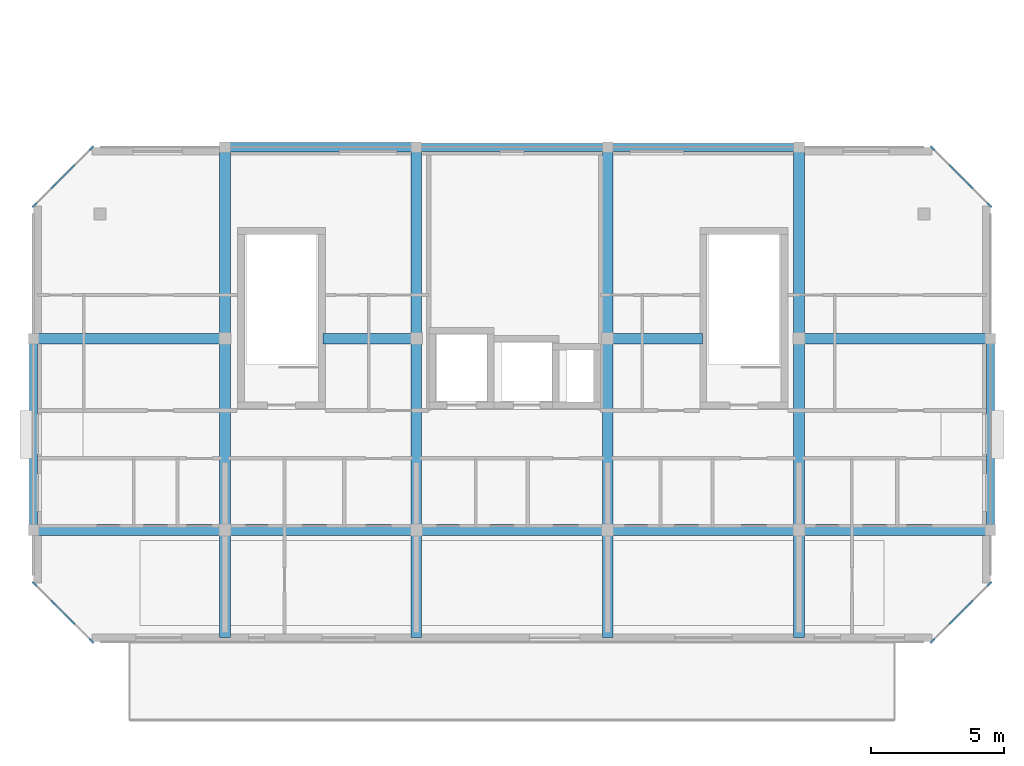
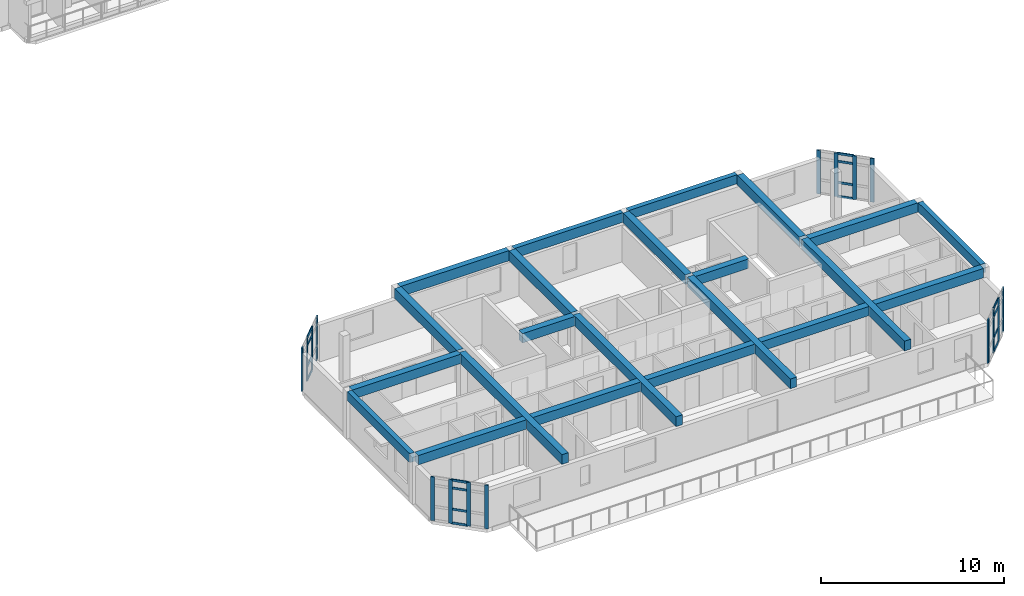
# One storey, part 2 of 19: 32 members, 22 beams, 4 elements without a shape of their own.
"""IFC4 building model written with IfcOpenShell, lengths in metres."""

from ifc_helpers import new_model, si_unit, direction, frame, origin, origin_2d, place, context, subcontext, project, spatial, rectangle, extrude, material, layer, layer_set, material_profile, profile_set, type_object, element, aggregate, save


model = new_model("IFC4")

# Units and contexts
model_context = context("Model", 3, precision=1e-05, world=origin(), true_north=direction((0.0, 1.0)))
body_context = subcontext(model_context, "Body", "Model", "MODEL_VIEW")
ifc_project = project(units=[si_unit("LENGTHUNIT", "METRE"), si_unit("AREAUNIT", "SQUARE_METRE"), si_unit("VOLUMEUNIT", "CUBIC_METRE"), si_unit("PLANEANGLEUNIT", "RADIAN"), si_unit("MASSUNIT", "GRAM", prefix="KILO")], contexts=[model_context])

# Site, building, storey
site_placement = place(None, origin())
site = spatial("IfcSite", under=ifc_project, at=site_placement, CompositionType="ELEMENT")
building_placement = place(site_placement, origin())
building = spatial("IfcBuilding", under=site, at=building_placement, Name="Ochrevale Crest", CompositionType="ELEMENT")
storey_placement = place(building_placement, frame((0.0, 0.0, 43.35009765625)))
storey = spatial("IfcBuildingStorey", under=building, at=storey_placement, Name="L13", CompositionType="ELEMENT", Elevation=43.35009765625)

# Beams
ifc_material_1 = material(Name="Precast concrete C50/60", Category="concrete")
ifc_material_profile_1 = material_profile(ifc_material_1, rectangle(XDim=0.39990234375, YDim=0.6201171875, at=origin_2d()), Name="PC 400x620")
ifc_profile_set_1 = profile_set([ifc_material_profile_1], Name="Precast concrete C50/60")
beam_type_1 = type_object("IfcBeamType", Name="BM-PC400x620", PredefinedType="BEAM", material=ifc_profile_set_1)
beam_1_placement = place(storey_placement, frame((129.77490234375, 21.60009765625, 2.83984375), z_axis=(1.0, 0.0, 0.0), x_axis=(0.0, 1.0, 0.0)))
element("IfcBeam", 1, at=beam_1_placement, inside=storey, type_object=beam_type_1, Name="Block C L13 E-W beam Y=21.6", PredefinedType="BEAM", context=body_context, shape_type="SweptSolid", body=[
    extrude(rectangle(XDim=0.39990234375, YDim=0.6201171875, at=origin_2d()), origin(), (0.0, 0.0, 1.0), 6.8251953125),
])
for number, where, z_axis, x_axis, name in (
    (2, (137.0, 21.60009765625, 2.83984375), (1.0, 0.0, 0.0), (0.0, 1.0, 0.0), "Block C L13 E-W beam Y=21.6"),
    (3, (144.199951171875, 21.60009765625, 2.83984375), (1.0, 0.0, 0.0), (0.0, 1.0, 0.0), "Block C L13 E-W beam Y=21.6"),
    (4, (151.39990234375, 21.60009765625, 2.83984375), (1.0, 0.0, 0.0), (0.0, 1.0, 0.0), "Block C L13 E-W beam Y=21.6"),
):
    element("IfcBeam", number, at=place(storey_placement, frame(where, z_axis=z_axis, x_axis=x_axis)), inside=storey, type_object=beam_type_1, Name=name, PredefinedType="BEAM", context=body_context, shape_type="SweptSolid", body=[
        extrude(rectangle(XDim=0.39990234375, YDim=0.6201171875, at=origin_2d()), origin(), (0.0, 0.0, 1.0), 6.800048828125),
    ])
beam_2_placement = place(storey_placement, frame((158.60009765625, 21.60009765625, 2.83984375), z_axis=(1.0, 0.0, 0.0), x_axis=(0.0, 1.0, 0.0)))
element("IfcBeam", 5, at=beam_2_placement, inside=storey, type_object=beam_type_1, Name="Block C L13 E-W beam Y=21.6", PredefinedType="BEAM", context=body_context, shape_type="SweptSolid", body=[
    extrude(rectangle(XDim=0.39990234375, YDim=0.6201171875, at=origin_2d()), origin(), (0.0, 0.0, 1.0), 6.824951171875),
])
beam_3_placement = place(storey_placement, frame((129.77490234375, 28.800048828125, 2.83984375), z_axis=(1.0, 0.0, 0.0), x_axis=(0.0, 1.0, 0.0)))
element("IfcBeam", 6, at=beam_3_placement, inside=storey, type_object=beam_type_1, Name="Block C L13 E-W beam Y=28.8", PredefinedType="BEAM", context=body_context, shape_type="SweptSolid", body=[
    extrude(rectangle(XDim=0.39990234375, YDim=0.6201171875, at=origin_2d()), origin(), (0.0, 0.0, 1.0), 6.8251953125),
])
beam_4_placement = place(storey_placement, frame((140.489990234375, 28.800048828125, 2.83984375), z_axis=(1.0, 0.0, 0.0), x_axis=(0.0, 1.0, 0.0)))
element("IfcBeam", 7, at=beam_4_placement, inside=storey, type_object=beam_type_1, Name="Block C L13 E-W beam Y=28.8", PredefinedType="BEAM", context=body_context, shape_type="SweptSolid", body=[
    extrude(rectangle(XDim=0.39990234375, YDim=0.6201171875, at=origin_2d()), origin(), (0.0, 0.0, 1.0), 3.31005859375),
])
beam_5_placement = place(storey_placement, frame((151.39990234375, 28.800048828125, 2.83984375), z_axis=(1.0, 0.0, 0.0), x_axis=(0.0, 1.0, 0.0)))
element("IfcBeam", 8, at=beam_5_placement, inside=storey, type_object=beam_type_1, Name="Block C L13 E-W beam Y=28.8", PredefinedType="BEAM", context=body_context, shape_type="SweptSolid", body=[
    extrude(rectangle(XDim=0.39990234375, YDim=0.6201171875, at=origin_2d()), origin(), (0.0, 0.0, 1.0), 3.360107421875),
])
beam_6_placement = place(storey_placement, frame((158.60009765625, 28.800048828125, 2.83984375), z_axis=(1.0, 0.0, 0.0), x_axis=(0.0, 1.0, 0.0)))
element("IfcBeam", 9, at=beam_6_placement, inside=storey, type_object=beam_type_1, Name="Block C L13 E-W beam Y=28.8", PredefinedType="BEAM", context=body_context, shape_type="SweptSolid", body=[
    extrude(rectangle(XDim=0.39990234375, YDim=0.6201171875, at=origin_2d()), origin(), (0.0, 0.0, 1.0), 6.824951171875),
])
ifc_material_profile_2 = material_profile(ifc_material_1, rectangle(XDim=0.39990234375, YDim=0.64990234375, at=origin_2d()), Name="PC 400x650")
ifc_profile_set_2 = profile_set([ifc_material_profile_2], Name="Precast concrete C50/60")
beam_type_2 = type_object("IfcBeamType", Name="BM-PC400x650", PredefinedType="BEAM", material=ifc_profile_set_2)
beam_7_placement = place(storey_placement, frame((136.800048828125, 17.550048828125, 2.824951171875), z_axis=(0.0, 1.0, 0.0), x_axis=(-1.0, 0.0, 0.0)))
element("IfcBeam", 10, at=beam_7_placement, inside=storey, type_object=beam_type_2, Name="Block C L13 N-S beam X=136.8", PredefinedType="BEAM", context=body_context, shape_type="SweptSolid", body=[
    extrude(rectangle(XDim=0.39990234375, YDim=0.64990234375, at=origin_2d()), origin(), (0.0, 0.0, 1.0), 11.22998046875),
])
beam_8_placement = place(storey_placement, frame((136.800048828125, 29.0048828125, 2.824951171875), z_axis=(0.0, 1.0, 0.0), x_axis=(-1.0, 0.0, 0.0)))
element("IfcBeam", 11, at=beam_8_placement, inside=storey, type_object=beam_type_2, Name="Block C L13 N-S beam X=136.8", PredefinedType="BEAM", context=body_context, shape_type="SweptSolid", body=[
    extrude(rectangle(XDim=0.39990234375, YDim=0.64990234375, at=origin_2d()), origin(), (0.0, 0.0, 1.0), 6.815185546875),
])
beam_9_placement = place(storey_placement, frame((144.0, 17.550048828125, 2.824951171875), z_axis=(0.0, 1.0, 0.0), x_axis=(-1.0, 0.0, 0.0)))
element("IfcBeam", 12, at=beam_9_placement, inside=storey, type_object=beam_type_2, Name="Block C L13 N-S beam X=144.0", PredefinedType="BEAM", context=body_context, shape_type="SweptSolid", body=[
    extrude(rectangle(XDim=0.39990234375, YDim=0.64990234375, at=origin_2d()), origin(), (0.0, 0.0, 1.0), 11.22998046875),
])
beam_10_placement = place(storey_placement, frame((144.0, 29.0048828125, 2.824951171875), z_axis=(0.0, 1.0, 0.0), x_axis=(-1.0, 0.0, 0.0)))
element("IfcBeam", 13, at=beam_10_placement, inside=storey, type_object=beam_type_2, Name="Block C L13 N-S beam X=144.0", PredefinedType="BEAM", context=body_context, shape_type="SweptSolid", body=[
    extrude(rectangle(XDim=0.39990234375, YDim=0.64990234375, at=origin_2d()), origin(), (0.0, 0.0, 1.0), 6.815185546875),
])
beam_11_placement = place(storey_placement, frame((151.199951171875, 17.550048828125, 2.824951171875), z_axis=(0.0, 1.0, 0.0), x_axis=(-1.0, 0.0, 0.0)))
element("IfcBeam", 14, at=beam_11_placement, inside=storey, type_object=beam_type_2, Name="Block C L13 N-S beam X=151.2", PredefinedType="BEAM", context=body_context, shape_type="SweptSolid", body=[
    extrude(rectangle(XDim=0.39990234375, YDim=0.64990234375, at=origin_2d()), origin(), (0.0, 0.0, 1.0), 11.22998046875),
])
beam_12_placement = place(storey_placement, frame((151.199951171875, 29.0048828125, 2.824951171875), z_axis=(0.0, 1.0, 0.0), x_axis=(-1.0, 0.0, 0.0)))
element("IfcBeam", 15, at=beam_12_placement, inside=storey, type_object=beam_type_2, Name="Block C L13 N-S beam X=151.2", PredefinedType="BEAM", context=body_context, shape_type="SweptSolid", body=[
    extrude(rectangle(XDim=0.39990234375, YDim=0.64990234375, at=origin_2d()), origin(), (0.0, 0.0, 1.0), 6.815185546875),
])
beam_13_placement = place(storey_placement, frame((158.39990234375, 17.550048828125, 2.824951171875), z_axis=(0.0, 1.0, 0.0), x_axis=(-1.0, 0.0, 0.0)))
element("IfcBeam", 16, at=beam_13_placement, inside=storey, type_object=beam_type_2, Name="Block C L13 N-S beam X=158.4", PredefinedType="BEAM", context=body_context, shape_type="SweptSolid", body=[
    extrude(rectangle(XDim=0.39990234375, YDim=0.64990234375, at=origin_2d()), origin(), (0.0, 0.0, 1.0), 11.22998046875),
])
beam_14_placement = place(storey_placement, frame((158.39990234375, 29.0048828125, 2.824951171875), z_axis=(0.0, 1.0, 0.0), x_axis=(-1.0, 0.0, 0.0)))
element("IfcBeam", 17, at=beam_14_placement, inside=storey, type_object=beam_type_2, Name="Block C L13 N-S beam X=158.4", PredefinedType="BEAM", context=body_context, shape_type="SweptSolid", body=[
    extrude(rectangle(XDim=0.39990234375, YDim=0.64990234375, at=origin_2d()), origin(), (0.0, 0.0, 1.0), 6.815185546875),
])
ifc_material_2 = material(Name="Precast concrete C40/50", Category="concrete")
ifc_material_profile_3 = material_profile(ifc_material_2, rectangle(XDim=0.300048828125, YDim=0.60009765625, at=origin_2d()), Name="PC 300x600")
ifc_profile_set_3 = profile_set([ifc_material_profile_3], Name="Precast concrete C40/50")
beam_type_3 = type_object("IfcBeamType", Name="BM-SP300x600", PredefinedType="SPANDREL", material=ifc_profile_set_3)
beam_15_placement = place(storey_placement, frame((151.375, 36.0, 2.849853515625), z_axis=(1.0, 0.0, 0.0), x_axis=(0.0, 1.0, 0.0)))
element("IfcBeam", 18, at=beam_15_placement, inside=storey, type_object=beam_type_3, Name="Block C L13 E-W beam Y=36.0", PredefinedType="SPANDREL", context=body_context, shape_type="SweptSolid", body=[
    extrude(rectangle(XDim=0.300048828125, YDim=0.60009765625, at=origin_2d()), origin(), (0.0, 0.0, 1.0), 6.85009765625),
])
for number, where, z_axis, x_axis, name in (
    (19, (129.60009765625, 21.780029296875, 2.849853515625), (0.0, 1.0, 0.0), (-1.0, 0.0, 0.0), "Block C L13 N-S beam X=129.6"),
    (20, (165.60009765625, 21.780029296875, 2.849853515625), (0.0, 1.0, 0.0), (-1.0, 0.0, 0.0), "Block C L13 N-S beam X=165.6"),
):
    element("IfcBeam", number, at=place(storey_placement, frame(where, z_axis=z_axis, x_axis=x_axis)), inside=storey, type_object=beam_type_3, Name=name, PredefinedType="SPANDREL", context=body_context, shape_type="SweptSolid", body=[
        extrude(rectangle(XDim=0.300048828125, YDim=0.60009765625, at=origin_2d()), origin(), (0.0, 0.0, 1.0), 6.840087890625),
    ])
ifc_material_profile_4 = material_profile(ifc_material_2, rectangle(XDim=0.300048828125, YDim=0.64990234375, at=origin_2d()), Name="PC 300x650")
ifc_profile_set_4 = profile_set([ifc_material_profile_4], Name="Precast concrete C40/50")
beam_type_4 = type_object("IfcBeamType", Name="BM-SP300x650", PredefinedType="SPANDREL", material=ifc_profile_set_4)
beam_16_placement = place(storey_placement, frame((144.175048828125, 36.0, 2.824951171875), z_axis=(1.0, 0.0, 0.0), x_axis=(0.0, 1.0, 0.0)))
element("IfcBeam", 21, at=beam_16_placement, inside=storey, type_object=beam_type_4, Name="Block C L13 E-W beam Y=36.0", PredefinedType="SPANDREL", context=body_context, shape_type="SweptSolid", body=[
    extrude(rectangle(XDim=0.300048828125, YDim=0.64990234375, at=origin_2d()), origin(), (0.0, 0.0, 1.0), 6.849853515625),
])
ifc_material_profile_5 = material_profile(ifc_material_2, rectangle(XDim=0.35009765625, YDim=0.679931640625, at=origin_2d()), Name="PC 350x680")
ifc_profile_set_5 = profile_set([ifc_material_profile_5], Name="Precast concrete C40/50")
beam_type_5 = type_object("IfcBeamType", Name="BM-SP350x680", PredefinedType="SPANDREL", material=ifc_profile_set_5)
beam_17_placement = place(storey_placement, frame((136.97509765625, 36.0, 2.809814453125), z_axis=(1.0, 0.0, 0.0), x_axis=(0.0, 1.0, 0.0)))
element("IfcBeam", 22, at=beam_17_placement, inside=storey, type_object=beam_type_5, Name="Block C L13 E-W beam Y=36.0", PredefinedType="SPANDREL", context=body_context, shape_type="SweptSolid", body=[
    extrude(rectangle(XDim=0.35009765625, YDim=0.679931640625, at=origin_2d()), origin(), (0.0, 0.0, 1.0), 6.849853515625),
])

# Curtain wall, members
ifc_material_3 = material(Name="Anodised aluminium 6063-T5", Category="aluminium")
ifc_layer_1 = layer(ifc_material_3, 0.14990234375)
ifc_layer_set_1 = layer_set([ifc_layer_1], Name="Anodised aluminium 6063-T5")
curtain_wall_type_1 = type_object("IfcCurtainWallType", Name="CW-WG-240x285", PredefinedType="NOTDEFINED", material=ifc_layer_set_1)
curtain_wall_1_placement = place(storey_placement, origin())
curtain_wall_1 = element("IfcCurtainWall", 23, at=curtain_wall_1_placement, inside=storey, type_object=curtain_wall_type_1, Name="Block C L13 chamfered corner wintergarden curtain wall 2", PredefinedType="NOTDEFINED")
ifc_material_profile_6 = material_profile(ifc_material_3, rectangle(XDim=0.074951171875, YDim=0.219970703125, at=origin_2d()), Name="ALU 75x220")
ifc_profile_set_6 = profile_set([ifc_material_profile_6], Name="Anodised aluminium 6063-T5")
member_type_1 = type_object("IfcMemberType", Name="CW-MUL-75x220", PredefinedType="MULLION", material=ifc_profile_set_6)
member_1_placement = place(storey_placement, frame((163.426513671875, 17.426513671875, 0.0), z_axis=(0.0, 0.0, 1.0), x_axis=(-0.707106781187, 0.707106781187, 0.0)))
member_1 = element("IfcMember", 24, at=member_1_placement, type_object=member_type_1, Name="CW15 mullion 1", PredefinedType="MULLION", context=body_context, shape_type="SweptSolid", body=[
    extrude(rectangle(XDim=0.074951171875, YDim=0.219970703125, at=origin_2d()), origin(), (0.0, 0.0, 1.0), 2.909912109375),
])
member_2_placement = place(storey_placement, frame((164.13330078125, 18.13330078125, 0.0), z_axis=(0.0, 0.0, 1.0), x_axis=(-0.707106781187, 0.707106781187, 0.0)))
member_2 = element("IfcMember", 25, at=member_2_placement, type_object=member_type_1, Name="CW15 mullion 2", PredefinedType="MULLION", context=body_context, shape_type="SweptSolid", body=[
    extrude(rectangle(XDim=0.074951171875, YDim=0.219970703125, at=origin_2d()), origin(), (0.0, 0.0, 1.0), 2.909912109375),
])
member_3_placement = place(storey_placement, frame((164.86669921875, 18.86669921875, 0.0), z_axis=(0.0, 0.0, 1.0), x_axis=(-0.707106781187, 0.707106781187, 0.0)))
member_3 = element("IfcMember", 26, at=member_3_placement, type_object=member_type_1, Name="CW15 mullion 3", PredefinedType="MULLION", context=body_context, shape_type="SweptSolid", body=[
    extrude(rectangle(XDim=0.074951171875, YDim=0.219970703125, at=origin_2d()), origin(), (0.0, 0.0, 1.0), 2.909912109375),
])
member_4_placement = place(storey_placement, frame((165.573486328125, 19.573486328125, 0.0), z_axis=(0.0, 0.0, 1.0), x_axis=(-0.707106781187, 0.707106781187, 0.0)))
member_4 = element("IfcMember", 27, at=member_4_placement, type_object=member_type_1, Name="CW15 mullion 4", PredefinedType="MULLION", context=body_context, shape_type="SweptSolid", body=[
    extrude(rectangle(XDim=0.074951171875, YDim=0.219970703125, at=origin_2d()), origin(), (0.0, 0.0, 1.0), 2.909912109375),
])

ifc_layer_2 = layer(ifc_material_3, 0.14990234375)
ifc_layer_set_2 = layer_set([ifc_layer_2], Name="Anodised aluminium 6063-T5")
curtain_wall_type_2 = type_object("IfcCurtainWallType", Name="CW-WG-320x285", PredefinedType="NOTDEFINED", material=ifc_layer_set_2)
curtain_wall_2_placement = place(storey_placement, origin())
curtain_wall_2 = element("IfcCurtainWall", 28, at=curtain_wall_2_placement, inside=storey, type_object=curtain_wall_type_2, Name="Block C L13 chamfered corner wintergarden curtain wall 4", PredefinedType="NOTDEFINED")
member_5_placement = place(storey_placement, frame((165.573486328125, 33.826416015625, 0.0), z_axis=(0.0, 0.0, 1.0), x_axis=(-0.707106781187, -0.707106781187, 0.0)))
member_5 = element("IfcMember", 29, at=member_5_placement, type_object=member_type_1, Name="CW17 mullion 1", PredefinedType="MULLION", context=body_context, shape_type="SweptSolid", body=[
    extrude(rectangle(XDim=0.074951171875, YDim=0.219970703125, at=origin_2d()), origin(), (0.0, 0.0, 1.0), 2.909912109375),
])
member_6_placement = place(storey_placement, frame((164.86669921875, 34.533447265625, 0.0), z_axis=(0.0, 0.0, 1.0), x_axis=(-0.707106781187, -0.707106781187, 0.0)))
member_6 = element("IfcMember", 30, at=member_6_placement, type_object=member_type_1, Name="CW17 mullion 2", PredefinedType="MULLION", context=body_context, shape_type="SweptSolid", body=[
    extrude(rectangle(XDim=0.074951171875, YDim=0.219970703125, at=origin_2d()), origin(), (0.0, 0.0, 1.0), 2.909912109375),
])
member_7_placement = place(storey_placement, frame((164.13330078125, 35.2666015625, 0.0), z_axis=(0.0, 0.0, 1.0), x_axis=(-0.707106781187, -0.707106781187, 0.0)))
member_7 = element("IfcMember", 31, at=member_7_placement, type_object=member_type_1, Name="CW17 mullion 3", PredefinedType="MULLION", context=body_context, shape_type="SweptSolid", body=[
    extrude(rectangle(XDim=0.074951171875, YDim=0.219970703125, at=origin_2d()), origin(), (0.0, 0.0, 1.0), 2.909912109375),
])
member_8_placement = place(storey_placement, frame((163.426513671875, 35.973388671875, 0.0), z_axis=(0.0, 0.0, 1.0), x_axis=(-0.707106781187, -0.707106781187, 0.0)))
member_8 = element("IfcMember", 32, at=member_8_placement, type_object=member_type_1, Name="CW17 mullion 4", PredefinedType="MULLION", context=body_context, shape_type="SweptSolid", body=[
    extrude(rectangle(XDim=0.074951171875, YDim=0.219970703125, at=origin_2d()), origin(), (0.0, 0.0, 1.0), 2.909912109375),
])

ifc_layer_3 = layer(ifc_material_3, 0.14990234375)
ifc_layer_set_3 = layer_set([ifc_layer_3], Name="Anodised aluminium 6063-T5")
curtain_wall_type_3 = type_object("IfcCurtainWallType", Name="CW-WG-420x285", PredefinedType="NOTDEFINED", material=ifc_layer_set_3)
curtain_wall_3_placement = place(storey_placement, origin())
curtain_wall_3 = element("IfcCurtainWall", 33, at=curtain_wall_3_placement, inside=storey, type_object=curtain_wall_type_3, Name="Block C L13 chamfered corner wintergarden curtain wall 6", PredefinedType="NOTDEFINED")
member_9_placement = place(storey_placement, frame((131.7734375, 35.973388671875, 0.0), z_axis=(0.0, 0.0, 1.0), x_axis=(0.707106781187, -0.707106781187, 0.0)))
member_9 = element("IfcMember", 34, at=member_9_placement, type_object=member_type_1, Name="CW22 mullion 1", PredefinedType="MULLION", context=body_context, shape_type="SweptSolid", body=[
    extrude(rectangle(XDim=0.074951171875, YDim=0.219970703125, at=origin_2d()), origin(), (0.0, 0.0, 1.0), 2.909912109375),
])
member_10_placement = place(storey_placement, frame((131.066650390625, 35.2666015625, 0.0), z_axis=(0.0, 0.0, 1.0), x_axis=(0.707106781187, -0.707106781187, 0.0)))
member_10 = element("IfcMember", 35, at=member_10_placement, type_object=member_type_1, Name="CW22 mullion 2", PredefinedType="MULLION", context=body_context, shape_type="SweptSolid", body=[
    extrude(rectangle(XDim=0.074951171875, YDim=0.219970703125, at=origin_2d()), origin(), (0.0, 0.0, 1.0), 2.909912109375),
])
member_11_placement = place(storey_placement, frame((130.333251953125, 34.533447265625, 0.0), z_axis=(0.0, 0.0, 1.0), x_axis=(0.707106781187, -0.707106781187, 0.0)))
member_11 = element("IfcMember", 36, at=member_11_placement, type_object=member_type_1, Name="CW22 mullion 3", PredefinedType="MULLION", context=body_context, shape_type="SweptSolid", body=[
    extrude(rectangle(XDim=0.074951171875, YDim=0.219970703125, at=origin_2d()), origin(), (0.0, 0.0, 1.0), 2.909912109375),
])
member_12_placement = place(storey_placement, frame((129.62646484375, 33.826416015625, 0.0), z_axis=(0.0, 0.0, 1.0), x_axis=(0.707106781187, -0.707106781187, 0.0)))
member_12 = element("IfcMember", 37, at=member_12_placement, type_object=member_type_1, Name="CW22 mullion 4", PredefinedType="MULLION", context=body_context, shape_type="SweptSolid", body=[
    extrude(rectangle(XDim=0.074951171875, YDim=0.219970703125, at=origin_2d()), origin(), (0.0, 0.0, 1.0), 2.909912109375),
])

ifc_layer_4 = layer(ifc_material_3, 0.14990234375)
ifc_layer_set_4 = layer_set([ifc_layer_4], Name="Anodised aluminium 6063-T5")
curtain_wall_type_4 = type_object("IfcCurtainWallType", Name="CW-WG-280x285", PredefinedType="NOTDEFINED", material=ifc_layer_set_4)
curtain_wall_4_placement = place(storey_placement, origin())
curtain_wall_4 = element("IfcCurtainWall", 38, at=curtain_wall_4_placement, inside=storey, type_object=curtain_wall_type_4, Name="Block C L13 chamfered corner wintergarden curtain wall 8", PredefinedType="NOTDEFINED")
member_13_placement = place(storey_placement, frame((129.62646484375, 19.573486328125, 0.0), z_axis=(0.0, 0.0, 1.0), x_axis=(0.707106781187, 0.707106781187, 0.0)))
member_13 = element("IfcMember", 39, at=member_13_placement, type_object=member_type_1, Name="CW16 mullion 1", PredefinedType="MULLION", context=body_context, shape_type="SweptSolid", body=[
    extrude(rectangle(XDim=0.074951171875, YDim=0.219970703125, at=origin_2d()), origin(), (0.0, 0.0, 1.0), 2.909912109375),
])
member_14_placement = place(storey_placement, frame((130.333251953125, 18.86669921875, 0.0), z_axis=(0.0, 0.0, 1.0), x_axis=(0.707106781187, 0.707106781187, 0.0)))
member_14 = element("IfcMember", 40, at=member_14_placement, type_object=member_type_1, Name="CW16 mullion 2", PredefinedType="MULLION", context=body_context, shape_type="SweptSolid", body=[
    extrude(rectangle(XDim=0.074951171875, YDim=0.219970703125, at=origin_2d()), origin(), (0.0, 0.0, 1.0), 2.909912109375),
])
member_15_placement = place(storey_placement, frame((131.066650390625, 18.13330078125, 0.0), z_axis=(0.0, 0.0, 1.0), x_axis=(0.707106781187, 0.707106781187, 0.0)))
member_15 = element("IfcMember", 41, at=member_15_placement, type_object=member_type_1, Name="CW16 mullion 3", PredefinedType="MULLION", context=body_context, shape_type="SweptSolid", body=[
    extrude(rectangle(XDim=0.074951171875, YDim=0.219970703125, at=origin_2d()), origin(), (0.0, 0.0, 1.0), 2.909912109375),
])
member_16_placement = place(storey_placement, frame((131.7734375, 17.426513671875, 0.0), z_axis=(0.0, 0.0, 1.0), x_axis=(0.707106781187, 0.707106781187, 0.0)))
member_16 = element("IfcMember", 42, at=member_16_placement, type_object=member_type_1, Name="CW16 mullion 4", PredefinedType="MULLION", context=body_context, shape_type="SweptSolid", body=[
    extrude(rectangle(XDim=0.074951171875, YDim=0.219970703125, at=origin_2d()), origin(), (0.0, 0.0, 1.0), 2.909912109375),
])

# Member
ifc_material_profile_7 = material_profile(ifc_material_3, rectangle(XDim=0.06005859375, YDim=0.14990234375, at=origin_2d()), Name="ALU 60x150")
ifc_profile_set_7 = profile_set([ifc_material_profile_7], Name="Anodised aluminium 6063-T5")
member_type_2 = type_object("IfcMemberType", Name="CW-TRN-60x150", PredefinedType="USERDEFINED", material=ifc_profile_set_7)
member_17_placement = place(storey_placement, frame((164.159912109375, 18.159912109375, 0.02978515625), z_axis=(0.707106781187, 0.707106781187, 0.0), x_axis=(-0.707106781187, 0.707106781187, 0.0)))
member_17 = element("IfcMember", 43, at=member_17_placement, type_object=member_type_2, Name="CW15 transom 2.1", ObjectType="TRANSOM", PredefinedType="USERDEFINED", context=body_context, shape_type="SweptSolid", body=[
    extrude(rectangle(XDim=0.06005859375, YDim=0.14990234375, at=origin_2d()), origin(), (0.0, 0.0, 1.0), 0.9619140625),
])

member_18_placement = place(storey_placement, frame((164.159912109375, 18.159912109375, 0.949951171875), z_axis=(0.707106781187, 0.707106781187, 0.0), x_axis=(-0.707106781187, 0.707106781187, 0.0)))
member_18 = element("IfcMember", 44, at=member_18_placement, type_object=member_type_2, Name="CW15 transom 2.2", ObjectType="TRANSOM", PredefinedType="USERDEFINED", context=body_context, shape_type="SweptSolid", body=[
    extrude(rectangle(XDim=0.06005859375, YDim=0.14990234375, at=origin_2d()), origin(), (0.0, 0.0, 1.0), 0.9619140625),
])

member_19_placement = place(storey_placement, frame((164.159912109375, 18.159912109375, 2.35986328125), z_axis=(0.707106781187, 0.707106781187, 0.0), x_axis=(-0.707106781187, 0.707106781187, 0.0)))
member_19 = element("IfcMember", 45, at=member_19_placement, type_object=member_type_2, Name="CW15 transom 2.3", ObjectType="TRANSOM", PredefinedType="USERDEFINED", context=body_context, shape_type="SweptSolid", body=[
    extrude(rectangle(XDim=0.06005859375, YDim=0.14990234375, at=origin_2d()), origin(), (0.0, 0.0, 1.0), 0.9619140625),
])

member_20_placement = place(storey_placement, frame((164.159912109375, 18.159912109375, 2.8798828125), z_axis=(0.707106781187, 0.707106781187, 0.0), x_axis=(-0.707106781187, 0.707106781187, 0.0)))
member_20 = element("IfcMember", 46, at=member_20_placement, type_object=member_type_2, Name="CW15 transom 2.4", ObjectType="TRANSOM", PredefinedType="USERDEFINED", context=body_context, shape_type="SweptSolid", body=[
    extrude(rectangle(XDim=0.06005859375, YDim=0.14990234375, at=origin_2d()), origin(), (0.0, 0.0, 1.0), 0.9619140625),
])

aggregate(curtain_wall_1, [member_1, member_2, member_3, member_4, member_17, member_18, member_19, member_20])

member_21_placement = place(storey_placement, frame((164.840087890625, 34.559814453125, 0.02978515625), z_axis=(-0.70697988899, 0.707233650616, 0.0), x_axis=(-0.707233650616, -0.70697988899, 0.0)))
member_21 = element("IfcMember", 47, at=member_21_placement, type_object=member_type_2, Name="CW17 transom 2.1", ObjectType="TRANSOM", PredefinedType="USERDEFINED", context=body_context, shape_type="SweptSolid", body=[
    extrude(rectangle(XDim=0.06005859375, YDim=0.14990234375, at=origin_2d()), origin(), (0.0, 0.0, 1.0), 0.962158203125),
])

member_22_placement = place(storey_placement, frame((164.840087890625, 34.559814453125, 0.949951171875), z_axis=(-0.70697988899, 0.707233650616, 0.0), x_axis=(-0.707233650616, -0.70697988899, 0.0)))
member_22 = element("IfcMember", 48, at=member_22_placement, type_object=member_type_2, Name="CW17 transom 2.2", ObjectType="TRANSOM", PredefinedType="USERDEFINED", context=body_context, shape_type="SweptSolid", body=[
    extrude(rectangle(XDim=0.06005859375, YDim=0.14990234375, at=origin_2d()), origin(), (0.0, 0.0, 1.0), 0.962158203125),
])

member_23_placement = place(storey_placement, frame((164.840087890625, 34.559814453125, 2.35986328125), z_axis=(-0.70697988899, 0.707233650616, 0.0), x_axis=(-0.707233650616, -0.70697988899, 0.0)))
member_23 = element("IfcMember", 49, at=member_23_placement, type_object=member_type_2, Name="CW17 transom 2.3", ObjectType="TRANSOM", PredefinedType="USERDEFINED", context=body_context, shape_type="SweptSolid", body=[
    extrude(rectangle(XDim=0.06005859375, YDim=0.14990234375, at=origin_2d()), origin(), (0.0, 0.0, 1.0), 0.962158203125),
])

member_24_placement = place(storey_placement, frame((164.840087890625, 34.559814453125, 2.8798828125), z_axis=(-0.70697988899, 0.707233650616, 0.0), x_axis=(-0.707233650616, -0.70697988899, 0.0)))
member_24 = element("IfcMember", 50, at=member_24_placement, type_object=member_type_2, Name="CW17 transom 2.4", ObjectType="TRANSOM", PredefinedType="USERDEFINED", context=body_context, shape_type="SweptSolid", body=[
    extrude(rectangle(XDim=0.06005859375, YDim=0.14990234375, at=origin_2d()), origin(), (0.0, 0.0, 1.0), 0.962158203125),
])

aggregate(curtain_wall_2, [member_5, member_6, member_7, member_8, member_21, member_22, member_23, member_24])

member_25_placement = place(storey_placement, frame((131.0400390625, 35.240234375, 0.02978515625), z_axis=(-0.70697988899, -0.707233650616, 0.0), x_axis=(0.707233650616, -0.70697988899, 0.0)))
member_25 = element("IfcMember", 51, at=member_25_placement, type_object=member_type_2, Name="CW22 transom 2.1", ObjectType="TRANSOM", PredefinedType="USERDEFINED", context=body_context, shape_type="SweptSolid", body=[
    extrude(rectangle(XDim=0.06005859375, YDim=0.14990234375, at=origin_2d()), origin(), (0.0, 0.0, 1.0), 0.962158203125),
])

member_26_placement = place(storey_placement, frame((131.0400390625, 35.240234375, 0.949951171875), z_axis=(-0.70697988899, -0.707233650616, 0.0), x_axis=(0.707233650616, -0.70697988899, 0.0)))
member_26 = element("IfcMember", 52, at=member_26_placement, type_object=member_type_2, Name="CW22 transom 2.2", ObjectType="TRANSOM", PredefinedType="USERDEFINED", context=body_context, shape_type="SweptSolid", body=[
    extrude(rectangle(XDim=0.06005859375, YDim=0.14990234375, at=origin_2d()), origin(), (0.0, 0.0, 1.0), 0.962158203125),
])

member_27_placement = place(storey_placement, frame((131.0400390625, 35.240234375, 2.35986328125), z_axis=(-0.70697988899, -0.707233650616, 0.0), x_axis=(0.707233650616, -0.70697988899, 0.0)))
member_27 = element("IfcMember", 53, at=member_27_placement, type_object=member_type_2, Name="CW22 transom 2.3", ObjectType="TRANSOM", PredefinedType="USERDEFINED", context=body_context, shape_type="SweptSolid", body=[
    extrude(rectangle(XDim=0.06005859375, YDim=0.14990234375, at=origin_2d()), origin(), (0.0, 0.0, 1.0), 0.962158203125),
])

member_28_placement = place(storey_placement, frame((131.0400390625, 35.240234375, 2.8798828125), z_axis=(-0.70697988899, -0.707233650616, 0.0), x_axis=(0.707233650616, -0.70697988899, 0.0)))
member_28 = element("IfcMember", 54, at=member_28_placement, type_object=member_type_2, Name="CW22 transom 2.4", ObjectType="TRANSOM", PredefinedType="USERDEFINED", context=body_context, shape_type="SweptSolid", body=[
    extrude(rectangle(XDim=0.06005859375, YDim=0.14990234375, at=origin_2d()), origin(), (0.0, 0.0, 1.0), 0.962158203125),
])

aggregate(curtain_wall_3, [member_9, member_10, member_11, member_12, member_25, member_26, member_27, member_28])

member_29_placement = place(storey_placement, frame((130.35986328125, 18.840087890625, 0.02978515625), z_axis=(0.707106781187, -0.707106781187, 0.0), x_axis=(0.707106781187, 0.707106781187, 0.0)))
member_29 = element("IfcMember", 55, at=member_29_placement, type_object=member_type_2, Name="CW16 transom 2.1", ObjectType="TRANSOM", PredefinedType="USERDEFINED", context=body_context, shape_type="SweptSolid", body=[
    extrude(rectangle(XDim=0.06005859375, YDim=0.14990234375, at=origin_2d()), origin(), (0.0, 0.0, 1.0), 0.9619140625),
])

member_30_placement = place(storey_placement, frame((130.35986328125, 18.840087890625, 0.949951171875), z_axis=(0.707106781187, -0.707106781187, 0.0), x_axis=(0.707106781187, 0.707106781187, 0.0)))
member_30 = element("IfcMember", 56, at=member_30_placement, type_object=member_type_2, Name="CW16 transom 2.2", ObjectType="TRANSOM", PredefinedType="USERDEFINED", context=body_context, shape_type="SweptSolid", body=[
    extrude(rectangle(XDim=0.06005859375, YDim=0.14990234375, at=origin_2d()), origin(), (0.0, 0.0, 1.0), 0.9619140625),
])

member_31_placement = place(storey_placement, frame((130.35986328125, 18.840087890625, 2.35986328125), z_axis=(0.707106781187, -0.707106781187, 0.0), x_axis=(0.707106781187, 0.707106781187, 0.0)))
member_31 = element("IfcMember", 57, at=member_31_placement, type_object=member_type_2, Name="CW16 transom 2.3", ObjectType="TRANSOM", PredefinedType="USERDEFINED", context=body_context, shape_type="SweptSolid", body=[
    extrude(rectangle(XDim=0.06005859375, YDim=0.14990234375, at=origin_2d()), origin(), (0.0, 0.0, 1.0), 0.9619140625),
])

member_32_placement = place(storey_placement, frame((130.35986328125, 18.840087890625, 2.8798828125), z_axis=(0.707106781187, -0.707106781187, 0.0), x_axis=(0.707106781187, 0.707106781187, 0.0)))
member_32 = element("IfcMember", 58, at=member_32_placement, type_object=member_type_2, Name="CW16 transom 2.4", ObjectType="TRANSOM", PredefinedType="USERDEFINED", context=body_context, shape_type="SweptSolid", body=[
    extrude(rectangle(XDim=0.06005859375, YDim=0.14990234375, at=origin_2d()), origin(), (0.0, 0.0, 1.0), 0.9619140625),
])

aggregate(curtain_wall_4, [member_13, member_14, member_15, member_16, member_29, member_30, member_31, member_32])

save(model, "model.ifc")
